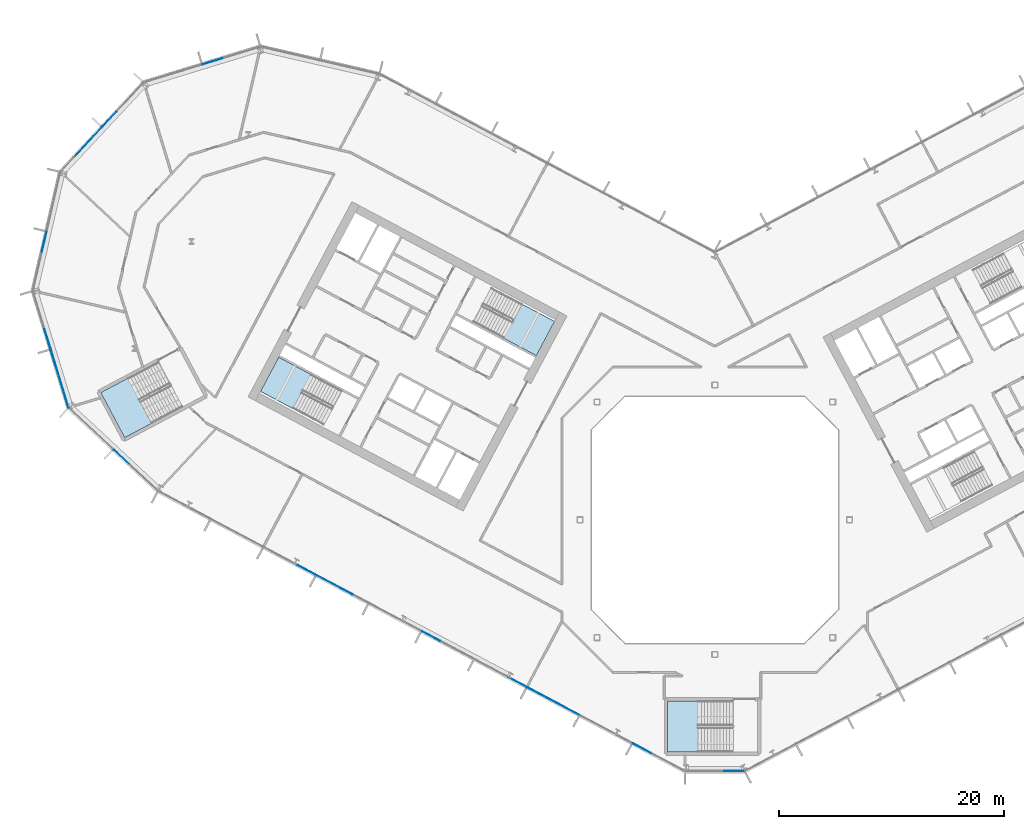
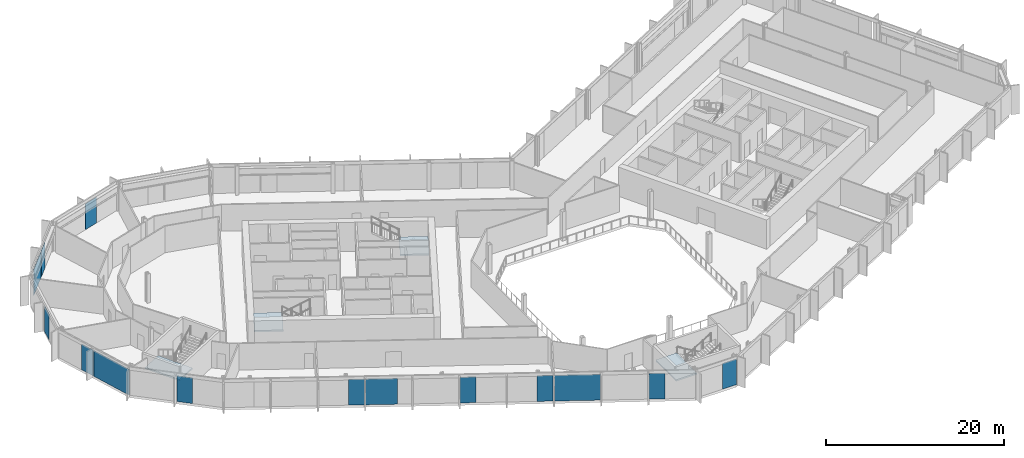
# One storey, part 11 of 28: 14 plates, 4 slabs, 11 elements without a shape of their own.
"""IFC4 building model written with IfcOpenShell, lengths in metres."""

from ifc_helpers import new_model, si_unit, direction, frame, origin, origin_2d, place, context, subcontext, project, spatial, polyline, rectangle, outline, extrude, material, layer, layer_set, type_object, element, aggregate, save


model = new_model("IFC4")

# Units and contexts
model_context = context("Model", 3, precision=1e-05, world=origin(), true_north=direction((0.0, 1.0)))
body_context = subcontext(model_context, "Body", "Model", "MODEL_VIEW")
ifc_project = project(units=[si_unit("LENGTHUNIT", "METRE"), si_unit("AREAUNIT", "SQUARE_METRE"), si_unit("VOLUMEUNIT", "CUBIC_METRE"), si_unit("PLANEANGLEUNIT", "RADIAN"), si_unit("MASSUNIT", "GRAM", prefix="KILO")], contexts=[model_context])

# Site, building, storey
site_placement = place(None, origin())
site = spatial("IfcSite", under=ifc_project, at=site_placement, CompositionType="ELEMENT")
building_placement = place(site_placement, origin())
building = spatial("IfcBuilding", under=site, at=building_placement, Name="Cormorant Relay Tower", CompositionType="ELEMENT")
storey_placement = place(building_placement, frame((0.0, 0.0, 150.199951171875)))
storey = spatial("IfcBuildingStorey", under=building, at=storey_placement, Name="L31", CompositionType="ELEMENT", Elevation=150.199951171875)

# Curtain wall, plate
ifc_material_1 = material(Name="Aluminium 6063-T6 anodised bronze", Category="aluminium")
ifc_layer_1 = layer(ifc_material_1, 0.199951171875)
ifc_layer_set_1 = layer_set([ifc_layer_1], Name="CW1 unitised bronze curtain wall with vertical fins")
curtain_wall_type = type_object("IfcCurtainWallType", Name="CW1 unitised bronze curtain wall with vertical fins", PredefinedType="NOTDEFINED", material=ifc_layer_set_1)
curtain_wall_1_placement = place(storey_placement, origin())
curtain_wall_1 = element("IfcCurtainWall", 1, at=curtain_wall_1_placement, inside=storey, type_object=curtain_wall_type, Name="CW1 curtain wall 1", PredefinedType="NOTDEFINED")
ifc_material_2 = material(Name="Tinted laminated glass", Category="glass")
ifc_layer_2 = layer(ifc_material_2, 0.0400390625)
ifc_layer_set_2 = layer_set([ifc_layer_2], Name="CW1 tinted vision panel 1800 module")
plate_type_1 = type_object("IfcPlateType", Name="CW1 tinted vision panel 1800 module", PredefinedType="CURTAIN_PANEL", material=ifc_layer_set_2)
plate_1_placement = place(storey_placement, frame((1.748779296875, -22.3955078125, 0.0), z_axis=(0.0, 0.0, 1.0), x_axis=(1.0, 0.0, 0.0)))
plate_1 = element("IfcPlate", 2, at=plate_1_placement, type_object=plate_type_1, Name="CW1 panel V01", PredefinedType="CURTAIN_PANEL", context=body_context, shape_type="SweptSolid", body=[
    extrude(rectangle(XDim=1.800048828125, YDim=0.0400390625, at=origin_2d()), origin(), (0.0, 0.0, 1.0), 3.550048828125),
])
aggregate(curtain_wall_1, [plate_1])

curtain_wall_2_placement = place(storey_placement, origin())
curtain_wall_2 = element("IfcCurtainWall", 3, at=curtain_wall_2_placement, inside=storey, type_object=curtain_wall_type, Name="CW1 curtain wall 11", PredefinedType="NOTDEFINED")
plate_2_placement = place(storey_placement, frame((-44.73681640625, 40.82861328125, 0.0), z_axis=(0.0, 0.0, 1.0), x_axis=(-0.956304755963, -0.292371704723, 0.0)))
plate_2 = element("IfcPlate", 4, at=plate_2_placement, type_object=plate_type_1, Name="CW1 panel V01", PredefinedType="CURTAIN_PANEL", context=body_context, shape_type="SweptSolid", body=[
    extrude(rectangle(XDim=1.800048828125, YDim=0.0400390625, at=origin_2d()), origin(), (0.0, 0.0, 1.0), 3.550048828125),
])
aggregate(curtain_wall_2, [plate_2])

curtain_wall_3_placement = place(storey_placement, origin())
curtain_wall_3 = element("IfcCurtainWall", 5, at=curtain_wall_3_placement, inside=storey, type_object=curtain_wall_type, Name="CW1 curtain wall 12", PredefinedType="NOTDEFINED")
plate_3_placement = place(storey_placement, frame((-53.91748046875, 35.68701171875, 0.0), z_axis=(0.0, 0.0, 1.0), x_axis=(-0.681998360062, -0.731353701619, 0.0)))
plate_3 = element("IfcPlate", 6, at=plate_3_placement, type_object=plate_type_1, Name="CW1 panel V01", PredefinedType="CURTAIN_PANEL", context=body_context, shape_type="SweptSolid", body=[
    extrude(rectangle(XDim=1.800048828125, YDim=0.0400390625, at=origin_2d()), origin(), (0.0, 0.0, 1.0), 3.550048828125),
])

curtain_wall_4_placement = place(storey_placement, origin())
curtain_wall_4 = element("IfcCurtainWall", 7, at=curtain_wall_4_placement, inside=storey, type_object=curtain_wall_type, Name="CW1 curtain wall 13", PredefinedType="NOTDEFINED")
plate_4_placement = place(storey_placement, frame((-59.736083984375, 24.74365234375, 0.0), z_axis=(0.0, 0.0, 1.0), x_axis=(-0.224951054344, -0.974370064785, 0.0)))
plate_4 = element("IfcPlate", 8, at=plate_4_placement, type_object=plate_type_1, Name="CW1 panel V01", PredefinedType="CURTAIN_PANEL", context=body_context, shape_type="SweptSolid", body=[
    extrude(rectangle(XDim=1.800048828125, YDim=0.0400390625, at=origin_2d()), origin(), (0.0, 0.0, 1.0), 3.550048828125),
])
aggregate(curtain_wall_4, [plate_4])

curtain_wall_5_placement = place(storey_placement, origin())
curtain_wall_5 = element("IfcCurtainWall", 9, at=curtain_wall_5_placement, inside=storey, type_object=curtain_wall_type, Name="CW1 curtain wall 14", PredefinedType="NOTDEFINED")
plate_5_placement = place(storey_placement, frame((-59.434814453125, 16.122314453125, 0.0), z_axis=(0.0, 0.0, 1.0), x_axis=(0.292371704723, -0.956304755963, 0.0)))
plate_5 = element("IfcPlate", 10, at=plate_5_placement, type_object=plate_type_1, Name="CW1 panel V01", PredefinedType="CURTAIN_PANEL", context=body_context, shape_type="SweptSolid", body=[
    extrude(rectangle(XDim=1.800048828125, YDim=0.0400390625, at=origin_2d()), origin(), (0.0, 0.0, 1.0), 3.550048828125),
])

curtain_wall_6_placement = place(storey_placement, origin())
curtain_wall_6 = element("IfcCurtainWall", 11, at=curtain_wall_6_placement, inside=storey, type_object=curtain_wall_type, Name="CW1 curtain wall 15", PredefinedType="NOTDEFINED")
plate_6_placement = place(storey_placement, frame((-52.8671875, 5.611572265625, 0.0), z_axis=(0.0, 0.0, 1.0), x_axis=(0.731353701619, -0.681998360062, 0.0)))
plate_6 = element("IfcPlate", 12, at=plate_6_placement, type_object=plate_type_1, Name="CW1 panel V01", PredefinedType="CURTAIN_PANEL", context=body_context, shape_type="SweptSolid", body=[
    extrude(rectangle(XDim=1.800048828125, YDim=0.0400390625, at=origin_2d()), origin(), (0.0, 0.0, 1.0), 3.550048828125),
])
aggregate(curtain_wall_6, [plate_6])

# Curtain wall, plates
curtain_wall_7_placement = place(storey_placement, origin())
curtain_wall_7 = element("IfcCurtainWall", 13, at=curtain_wall_7_placement, inside=storey, type_object=curtain_wall_type, Name="CW1 curtain wall 16", PredefinedType="NOTDEFINED")
plate_7_placement = place(storey_placement, frame((-36.37890625, -4.463623046875, 0.0), z_axis=(0.0, 0.0, 1.0), x_axis=(0.882947592859, -0.469471562786, 0.0)))
plate_7 = element("IfcPlate", 14, at=plate_7_placement, type_object=plate_type_1, Name="CW1 panel V03", PredefinedType="CURTAIN_PANEL", context=body_context, shape_type="SweptSolid", body=[
    extrude(rectangle(XDim=1.800048828125, YDim=0.0400390625, at=origin_2d()), origin(), (0.0, 0.0, 1.0), 3.550048828125),
])
plate_8_placement = place(storey_placement, frame((-25.268798828125, -10.37109375, 0.0), z_axis=(0.0, 0.0, 1.0), x_axis=(0.882947592859, -0.469471562786, 0.0)))
plate_8 = element("IfcPlate", 15, at=plate_8_placement, type_object=plate_type_1, Name="CW1 panel V06", PredefinedType="CURTAIN_PANEL", context=body_context, shape_type="SweptSolid", body=[
    extrude(rectangle(XDim=1.800048828125, YDim=0.0400390625, at=origin_2d()), origin(), (0.0, 0.0, 1.0), 3.550048828125),
])
plate_9_placement = place(storey_placement, frame((-17.601806640625, -14.447509765625, 0.0), z_axis=(0.0, 0.0, 1.0), x_axis=(0.882947592859, -0.469471562786, 0.0)))
plate_9 = element("IfcPlate", 16, at=plate_9_placement, type_object=plate_type_1, Name="CW1 panel V08", PredefinedType="CURTAIN_PANEL", context=body_context, shape_type="SweptSolid", body=[
    extrude(rectangle(XDim=1.800048828125, YDim=0.0400390625, at=origin_2d()), origin(), (0.0, 0.0, 1.0), 3.550048828125),
])
plate_10_placement = place(storey_placement, frame((-6.49169921875, -20.35498046875, 0.0), z_axis=(0.0, 0.0, 1.0), x_axis=(0.882947592859, -0.469471562786, 0.0)))
plate_10 = element("IfcPlate", 17, at=plate_10_placement, type_object=plate_type_1, Name="CW1 panel V11", PredefinedType="CURTAIN_PANEL", context=body_context, shape_type="SweptSolid", body=[
    extrude(rectangle(XDim=1.800048828125, YDim=0.0400390625, at=origin_2d()), origin(), (0.0, 0.0, 1.0), 3.550048828125),
])

# Plate
ifc_material_3 = material(Name="Tinted laminated glass", Category="glass")
ifc_layer_3 = layer(ifc_material_3, 0.0400390625)
ifc_layer_set_3 = layer_set([ifc_layer_3], Name="CW1 tinted vision panel 3600 module")
plate_type_2 = type_object("IfcPlateType", Name="CW1 tinted vision panel 3600 module", PredefinedType="CURTAIN_PANEL", material=ifc_layer_set_3)
plate_11_placement = place(storey_placement, frame((-55.861083984375, 33.6025390625, 0.0), z_axis=(0.0, 0.0, 1.0), x_axis=(-0.681998360062, -0.731353701619, 0.0)))
plate_11 = element("IfcPlate", 18, at=plate_11_placement, type_object=plate_type_2, Name="CW1 panel V02", PredefinedType="CURTAIN_PANEL", context=body_context, shape_type="SweptSolid", body=[
    extrude(rectangle(XDim=3.60009765625, YDim=0.0400390625, at=origin_2d()), origin(), (0.0, 0.0, 1.0), 3.550048828125),
])

aggregate(curtain_wall_3, [plate_3, plate_11])

plate_12_placement = place(storey_placement, frame((-33.862548828125, -5.801513671875, 0.0), z_axis=(0.0, 0.0, 1.0), x_axis=(0.882947592859, -0.469471562786, 0.0)))
plate_12 = element("IfcPlate", 19, at=plate_12_placement, type_object=plate_type_2, Name="CW1 panel V04", PredefinedType="CURTAIN_PANEL", context=body_context, shape_type="SweptSolid", body=[
    extrude(rectangle(XDim=3.60009765625, YDim=0.0400390625, at=origin_2d()), origin(), (0.0, 0.0, 1.0), 3.550048828125),
])

ifc_material_4 = material(Name="Tinted laminated glass", Category="glass")
ifc_layer_4 = layer(ifc_material_4, 0.0400390625)
ifc_layer_set_4 = layer_set([ifc_layer_4], Name="CW1 tinted vision panel 5400 module")
plate_type_3 = type_object("IfcPlateType", Name="CW1 tinted vision panel 5400 module", PredefinedType="CURTAIN_PANEL", material=ifc_layer_set_4)
plate_13_placement = place(storey_placement, frame((-58.344482421875, 12.55517578125, 0.0), z_axis=(0.0, 0.0, 1.0), x_axis=(0.292371704723, -0.956304755963, 0.0)))
plate_13 = element("IfcPlate", 20, at=plate_13_placement, type_object=plate_type_3, Name="CW1 panel V02", PredefinedType="CURTAIN_PANEL", context=body_context, shape_type="SweptSolid", body=[
    extrude(rectangle(XDim=5.360107421875, YDim=0.0400390625, at=origin_2d()), origin(), (0.0, 0.0, 1.0), 3.550048828125),
])

aggregate(curtain_wall_5, [plate_5, plate_13])

plate_14_placement = place(storey_placement, frame((-14.393798828125, -16.1533203125, 0.0), z_axis=(0.0, 0.0, 1.0), x_axis=(0.882947592859, -0.469471562786, 0.0)))
plate_14 = element("IfcPlate", 21, at=plate_14_placement, type_object=plate_type_3, Name="CW1 panel V09", PredefinedType="CURTAIN_PANEL", context=body_context, shape_type="SweptSolid", body=[
    extrude(rectangle(XDim=5.16650390625, YDim=0.0400390625, at=origin_2d()), origin(), (0.0, 0.0, 1.0), 3.550048828125),
])

aggregate(curtain_wall_7, [plate_7, plate_12, plate_8, plate_9, plate_14, plate_10])

# Stair, slab
ifc_material_5 = material(Name="Concrete 40 MPa", Category="concrete")
stair_type_1 = type_object("IfcStairType", Name="Exit stair 1500", PredefinedType="HALF_TURN_STAIR", material=ifc_material_5)
stair_1_placement = place(storey_placement, origin())
stair_1 = element("IfcStair", 22, at=stair_1_placement, inside=storey, type_object=stair_type_1, Name="L31 Stair", PredefinedType="HALF_TURN_STAIR")
ifc_material_6 = material(Name="Concrete 40 MPa", Category="concrete")
ifc_layer_5 = layer(ifc_material_6, 0.199951171875)
ifc_layer_set_5 = layer_set([ifc_layer_5], Name="Exit stair landing 200")
slab_type = type_object("IfcSlabType", Name="Exit stair landing 200", PredefinedType="LANDING", material=ifc_layer_set_5)
slab_1_placement = place(storey_placement, frame((0.0, 0.0, 1.800048828125)))
slab_1 = element("IfcSlab", 23, at=slab_1_placement, type_object=slab_type, Name="A1 landing 1", PredefinedType="LANDING", context=body_context, shape_type="SweptSolid", body=[
    extrude(outline(polyline([(-18.7822265625, 16.1591796875), (-15.89501953125, 14.6240234375), (-14.275390625, 17.670166015625), (-17.16259765625, 19.205322265625), (-18.7822265625, 16.1591796875)])), origin(), (0.0, 0.0, 1.0), 0.199951171875),
])
aggregate(stair_1, [slab_1])

stair_2_placement = place(storey_placement, origin())
stair_2 = element("IfcStair", 24, at=stair_2_placement, inside=storey, type_object=stair_type_1, Name="L31 Stair", PredefinedType="HALF_TURN_STAIR")
slab_2_placement = place(storey_placement, frame((0.0, 0.0, 1.800048828125)))
slab_2 = element("IfcSlab", 25, at=slab_2_placement, type_object=slab_type, Name="A2 landing 1", PredefinedType="LANDING", context=body_context, shape_type="SweptSolid", body=[
    extrude(outline(polyline([(-35.96044921875, 12.947998046875), (-38.84765625, 14.483154296875), (-40.467529296875, 11.43701171875), (-37.580322265625, 9.90185546875), (-35.96044921875, 12.947998046875)])), origin(), (0.0, 0.0, 1.0), 0.199951171875),
])
aggregate(stair_2, [slab_2])

ifc_material_7 = material(Name="Concrete 40 MPa", Category="concrete")
stair_type_2 = type_object("IfcStairType", Name="Remote exit stair 2200", PredefinedType="HALF_TURN_STAIR", material=ifc_material_7)
stair_3_placement = place(storey_placement, origin())
stair_3 = element("IfcStair", 26, at=stair_3_placement, inside=storey, type_object=stair_type_2, Name="L31 Stair", PredefinedType="HALF_TURN_STAIR")
slab_3_placement = place(storey_placement, frame((0.0, 0.0, 1.800048828125)))
slab_3 = element("IfcSlab", 27, at=slab_3_placement, type_object=slab_type, Name="RK1 landing 1", PredefinedType="LANDING", context=body_context, shape_type="SweptSolid", body=[
    extrude(outline(polyline([(-1.47998046875, -16.125), (-4.199951171875, -16.125), (-4.199951171875, -20.675048828125), (-1.47998046875, -20.675048828125), (-1.47998046875, -16.125)])), origin(), (0.0, 0.0, 1.0), 0.199951171875),
])
aggregate(stair_3, [slab_3])

stair_4_placement = place(storey_placement, origin())
stair_4 = element("IfcStair", 28, at=stair_4_placement, inside=storey, type_object=stair_type_2, Name="L31 Stair", PredefinedType="HALF_TURN_STAIR")
slab_4_placement = place(storey_placement, frame((0.0, 0.0, 1.800048828125)))
slab_4 = element("IfcSlab", 29, at=slab_4_placement, type_object=slab_type, Name="RP1 landing 1", PredefinedType="LANDING", context=body_context, shape_type="SweptSolid", body=[
    extrude(outline(polyline([(-52.29833984375, 12.607666015625), (-54.699951171875, 11.330810546875), (-52.563720703125, 7.3134765625), (-50.162109375, 8.59033203125), (-52.29833984375, 12.607666015625)])), origin(), (0.0, 0.0, 1.0), 0.199951171875),
])
aggregate(stair_4, [slab_4])

save(model, "model.ifc")
